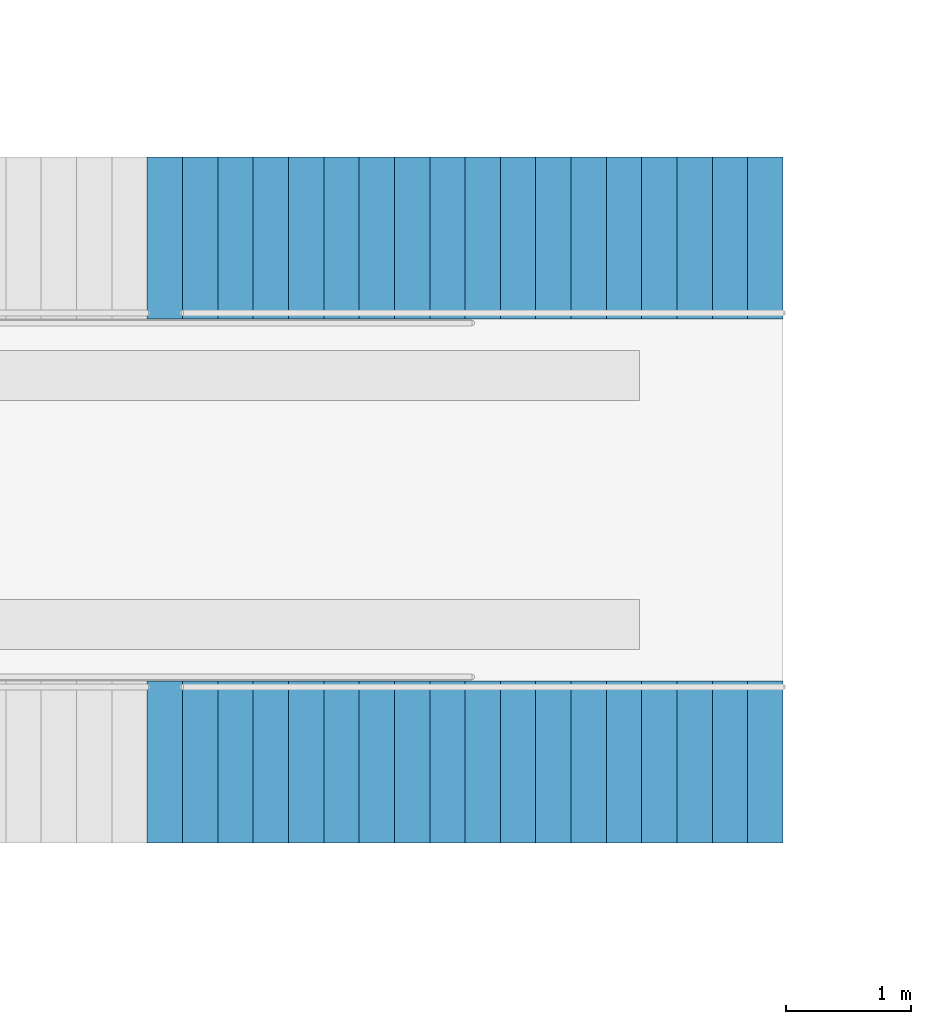
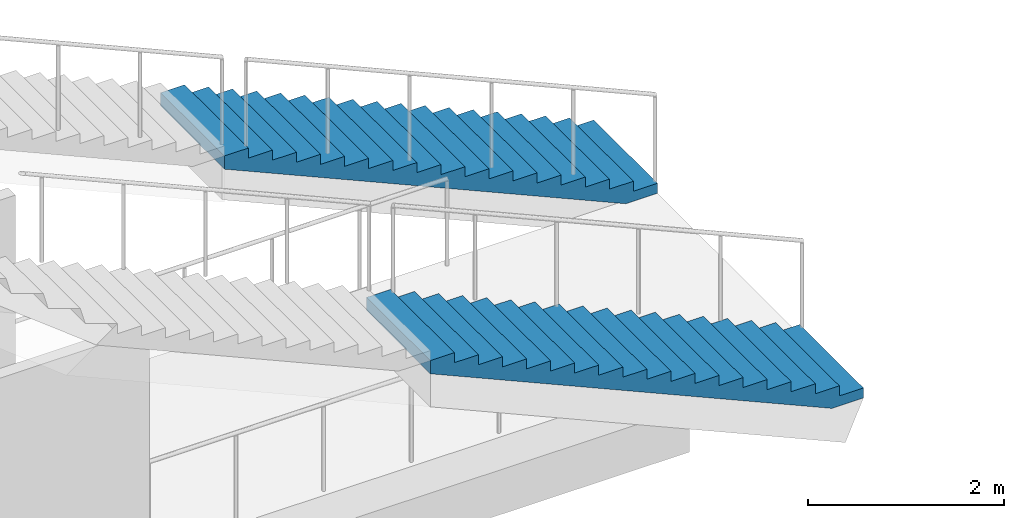
# One storey, part 60 of 175: 2 stair flights, 2 elements without a shape of their own.
"""IFC4 building model written with IfcOpenShell, lengths in metres."""

import ifcopenshell
import ifcopenshell.guid

model = None  # the IFC model being written
_history = None  # IfcOwnerHistory: only IFC2X3 demands one
_inside = {}  # id of a spatial element -> (the spatial element, [elements in it])
_under = {}  # id of a project, library or spatial element -> (it, [spatial elements below it])
_declared = {}  # id of a project -> (the project, [libraries it declares])
_typed = {}  # id of a type object -> (the type object, [elements of that type])
_made_of = {}  # id of a material, layer set ... -> (it, [elements and type objects made of it])


def new_model(schema):
    """Start an empty IFC model of exactly this schema.

    Asked for "IFC4X3", IfcOpenShell would pick the latest addendum, in which some entities
    have other attributes; the version numbers below select the first issue.
    IFC2X3 requires an IfcOwnerHistory on every rooted entity: one is made here for all.
    """
    global model, _history
    if schema == "IFC4X3":
        model = ifcopenshell.file(schema_version=(4, 3, 0, 0))
    else:
        model = ifcopenshell.file(schema=schema)
    _inside.clear()
    _under.clear()
    _declared.clear()
    _typed.clear()
    _made_of.clear()
    _history = None
    if model.schema == "IFC2X3":
        org = make("IfcOrganization", Name="unknown")
        user = make(
            "IfcPersonAndOrganization",
            ThePerson=make("IfcPerson", FamilyName="unknown"),
            TheOrganization=org,
        )
        app = make(
            "IfcApplication",
            ApplicationDeveloper=org,
            Version="unknown",
            ApplicationFullName="unknown",
            ApplicationIdentifier="unknown",
        )
        _history = make(
            "IfcOwnerHistory",
            OwningUser=user,
            OwningApplication=app,
            ChangeAction="ADDED",
            CreationDate=0,
        )
    return model


def make(cls, **values):
    """One entity of the class cls with the attributes given. An attribute that is None is left unset."""
    return model.create_entity(
        cls, **{name: value for name, value in values.items() if value is not None}
    )


def rooted(cls, **values):
    """An entity with a GlobalId (a new one), such as an element, a storey or a relation."""
    return make(cls, GlobalId=ifcopenshell.guid.new(), OwnerHistory=_history, **values)


def si_unit(unit_type, name, prefix=None):
    """IfcSIUnit, for example si_unit("LENGTHUNIT", "METRE", prefix="MILLI")."""
    return make("IfcSIUnit", UnitType=unit_type, Prefix=prefix, Name=name)


def assignment(units):
    """IfcUnitAssignment: the units of a project."""
    return None if units is None else make("IfcUnitAssignment", Units=units)


def point(xyz):
    """IfcCartesianPoint."""
    return None if xyz is None else make("IfcCartesianPoint", Coordinates=xyz)


def direction(xyz):
    """IfcDirection."""
    return None if xyz is None else make("IfcDirection", DirectionRatios=xyz)


def frame(location, z_axis=None, x_axis=None):
    """IfcAxis2Placement3D, a coordinate frame: its origin and axes. An axis left out is left unset."""
    return make(
        "IfcAxis2Placement3D",
        Location=point(location),
        Axis=direction(z_axis),
        RefDirection=direction(x_axis),
    )


def origin():
    """The frame at (0, 0, 0) with its axes left unset."""
    return frame((0.0, 0.0, 0.0))


def place(relative_to, where):
    """IfcLocalPlacement: puts the frame where relative to a parent placement (None: the world)."""
    return make(
        "IfcLocalPlacement", PlacementRelTo=relative_to, RelativePlacement=where
    )


def context(
    kind, dimensions, precision=None, world=None, true_north=None, identifier=None
):
    """IfcGeometricRepresentationContext, for example the 3D "Model" context."""
    return make(
        "IfcGeometricRepresentationContext",
        ContextIdentifier=identifier,
        ContextType=kind,
        CoordinateSpaceDimension=dimensions,
        Precision=precision,
        WorldCoordinateSystem=world,
        TrueNorth=true_north,
    )


def subcontext(parent, identifier, kind, view, scale=None):
    """IfcGeometricRepresentationSubContext, for example "Body" below "Model"."""
    return make(
        "IfcGeometricRepresentationSubContext",
        ContextIdentifier=identifier,
        ContextType=kind,
        ParentContext=parent,
        TargetScale=scale,
        TargetView=view,
    )


def project(units=None, contexts=None):
    """IfcProject with its units and contexts."""
    return rooted(
        "IfcProject",
        Name="project",
        RepresentationContexts=contexts,
        UnitsInContext=assignment(units),
    )


def spatial(cls, under=None, at=None, **own):
    """A site, building, storey or space (cls), placed at a placement, below another one or the project."""
    s = rooted(cls, ObjectPlacement=at, **own)
    if under is not None:
        _under.setdefault(under.id(), (under, []))[1].append(s)
    return s


def faces_of(points, faces, orient=None, outer=None):
    """IfcFace entities. A face is a list of loops; a loop is a list of indices into points, from 0.

    orient and outer hold one flag for each loop. By default every Orientation is true, the
    first loop of a face is its IfcFaceOuterBound and the others are IfcFaceBound.
    """
    made = []
    for i, loops in enumerate(faces):
        bounds = []
        for j, loop in enumerate(loops):
            is_outer = j == 0 if outer is None else outer[i][j]
            bounds.append(
                make(
                    "IfcFaceOuterBound" if is_outer else "IfcFaceBound",
                    Bound=make("IfcPolyLoop", Polygon=[points[k] for k in loop]),
                    Orientation=True if orient is None else orient[i][j],
                )
            )
        made.append(make("IfcFace", Bounds=bounds))
    return made


def faceted_brep(points, faces, orient=None, outer=None, voids=None):
    """IfcFacetedBrep: a solid bounded by flat faces; with voids (closed shells), ...WithVoids."""
    shared = [point(p) for p in points]
    hull = make("IfcClosedShell", CfsFaces=faces_of(shared, faces, orient, outer))
    if voids is None:
        return make("IfcFacetedBrep", Outer=hull)
    return make(
        "IfcFacetedBrepWithVoids",
        Outer=hull,
        Voids=[
            make(cls, CfsFaces=faces_of(shared, fs, o, b)) for cls, fs, o, b in voids
        ],
    )


def shape(context_of_items, identifier, shape_type, items):
    """IfcShapeRepresentation: the items that make up one representation, for example the "Body"."""
    return make(
        "IfcShapeRepresentation",
        ContextOfItems=context_of_items,
        RepresentationIdentifier=identifier,
        RepresentationType=shape_type,
        Items=items,
    )


def material(Name=None, Category=None):
    """IfcMaterial."""
    return make("IfcMaterial", Name=Name, Category=Category)


def made_of(thing, what):
    """Note that an element or type object is made of a material, layer set ...; save() writes the relation."""
    if what is not None:
        _made_of.setdefault(what.id(), (what, []))[1].append(thing)
    return thing


def type_object(cls, material=None, **own):
    """A type object (cls), such as IfcWallType, which elements share."""
    return made_of(rooted(cls, **own), material)


def element(
    cls,
    number,
    at=None,
    inside=None,
    cuts=None,
    type_object=None,
    material=None,
    context=None,
    identifier="Body",
    shape_type=None,
    held_by="IfcProductDefinitionShape",
    body=None,
    shapes=None,
    **own,
):
    """One element of the class cls, such as IfcWall. Its Tag is "e" and its number.

    at: its placement. inside: the storey or other place that contains it. cuts: it is an
    opening in that element (IfcRelVoidsElement). A single representation is given by context,
    identifier, shape_type and body (its items); several are given by shapes. held_by: the class
    of the entity that holds the representations. save() writes the other relations.
    """
    e = rooted(cls, Tag="e%d" % number, ObjectPlacement=at, **own)
    if body is not None:
        shapes = [shape(context, identifier, shape_type, body)]
    if shapes is not None:
        e.Representation = make(held_by, Representations=shapes)
    if inside is not None:
        _inside.setdefault(inside.id(), (inside, []))[1].append(e)
    if cuts is not None:
        rooted(
            "IfcRelVoidsElement", RelatingBuildingElement=cuts, RelatedOpeningElement=e
        )
    if type_object is not None:
        _typed.setdefault(type_object.id(), (type_object, []))[1].append(e)
    return made_of(e, material)


def aggregate(whole, parts):
    """IfcRelAggregates: a whole, such as a stair, and the parts it consists of."""
    return rooted("IfcRelAggregates", RelatingObject=whole, RelatedObjects=parts)


def save(model, path):
    """Write the relations noted so far, then the file.

    IfcRelAggregates (storeys below a building ...), IfcRelContainedInSpatialStructure (elements
    in a storey), IfcRelDefinesByType, IfcRelAssociatesMaterial and IfcRelDeclares: one each for
    every whole, place, type object, material and project.
    """
    for whole, parts in _under.values():
        aggregate(whole, parts)
    for where, things in _inside.values():
        rooted(
            "IfcRelContainedInSpatialStructure",
            RelatedElements=things,
            RelatingStructure=where,
        )
    for kind, things in _typed.values():
        rooted("IfcRelDefinesByType", RelatedObjects=things, RelatingType=kind)
    for what, things in _made_of.values():
        rooted("IfcRelAssociatesMaterial", RelatedObjects=things, RelatingMaterial=what)
    for by, libraries in _declared.values():
        rooted("IfcRelDeclares", RelatingContext=by, RelatedDefinitions=libraries)
    model.write(path)


model = new_model("IFC4")

# Units and contexts
model_context = context("Model", 3, precision=1e-05, world=origin(), true_north=direction((0.0, 1.0)))
body_context = subcontext(model_context, "Body", "Model", "MODEL_VIEW")
ifc_project = project(units=[si_unit("LENGTHUNIT", "METRE"), si_unit("AREAUNIT", "SQUARE_METRE"), si_unit("VOLUMEUNIT", "CUBIC_METRE"), si_unit("PLANEANGLEUNIT", "RADIAN"), si_unit("MASSUNIT", "GRAM", prefix="KILO")], contexts=[model_context])

# Site, building, storey
site_placement = place(None, origin())
site = spatial("IfcSite", under=ifc_project, at=site_placement, CompositionType="ELEMENT")
building_placement = place(site_placement, origin())
building = spatial("IfcBuilding", under=site, at=building_placement, Name="Ogive Plaza Stadium", CompositionType="ELEMENT")
storey_placement = place(building_placement, origin())
storey = spatial("IfcBuildingStorey", under=building, at=storey_placement, Name="L00", CompositionType="ELEMENT", Elevation=0.0)

# Stair, stair flight
ifc_material_1 = material(Name="Concrete C40/50", Category="concrete")
stair_type = type_object("IfcStairType", Name="Aisle stair", PredefinedType="STRAIGHT_RUN_STAIR", material=ifc_material_1)
stair_1_placement = place(storey_placement, origin())
stair_1 = element("IfcStair", 1, at=stair_1_placement, inside=storey, type_object=stair_type, Name="Aisle stair SA21L", PredefinedType="STRAIGHT_RUN_STAIR")
ifc_material_2 = material(Name="Concrete C40/50", Category="concrete")
stair_flight_type = type_object("IfcStairFlightType", Name="Aisle stair flight", PredefinedType="STRAIGHT", material=ifc_material_2)
stair_flight_1_placement = place(storey_placement, frame((-49.14990234375, -42.89990234375, 0.0), z_axis=(0.0, 0.0, 1.0), x_axis=(-1.0, 0.0, 0.0)))
stair_flight_1 = element("IfcStairFlight", 2, at=stair_flight_1_placement, type_object=stair_flight_type, Name="SA21L flight 1", NumberOfRisers=18, NumberOfTreads=17, PredefinedType="STRAIGHT", RiserHeight=0.125, TreadLength=0.283333333, context=body_context, shape_type="Brep", body=[
    faceted_brep([(0.371337890625, -0.64990234375, 0.0), (5.10009765625, -0.64990234375, 2.086181640625), (5.10009765625, -0.64990234375, 2.25), (4.816650390625, -0.64990234375, 2.25), (4.816650390625, -0.64990234375, 2.125), (4.533447265625, -0.64990234375, 2.125), (4.533447265625, -0.64990234375, 2.0), (4.25, -0.64990234375, 2.0), (4.25, -0.64990234375, 1.875), (3.966552734375, -0.64990234375, 1.875), (3.966552734375, -0.64990234375, 1.75), (3.683349609375, -0.64990234375, 1.75), (3.683349609375, -0.64990234375, 1.625), (3.39990234375, -0.64990234375, 1.625), (3.39990234375, -0.64990234375, 1.5), (3.11669921875, -0.64990234375, 1.5), (3.11669921875, -0.64990234375, 1.375), (2.833251953125, -0.64990234375, 1.375), (2.833251953125, -0.64990234375, 1.25), (2.550048828125, -0.64990234375, 1.25), (2.550048828125, -0.64990234375, 1.125), (2.2666015625, -0.64990234375, 1.125), (2.2666015625, -0.64990234375, 1.0), (1.9833984375, -0.64990234375, 1.0), (1.9833984375, -0.64990234375, 0.875), (1.699951171875, -0.64990234375, 0.875), (1.699951171875, -0.64990234375, 0.75), (1.416748046875, -0.64990234375, 0.75), (1.416748046875, -0.64990234375, 0.625), (1.13330078125, -0.64990234375, 0.625), (1.13330078125, -0.64990234375, 0.5), (0.85009765625, -0.64990234375, 0.5), (0.85009765625, -0.64990234375, 0.375), (0.566650390625, -0.64990234375, 0.375), (0.566650390625, -0.64990234375, 0.25), (0.283447265625, -0.64990234375, 0.25), (0.283447265625, -0.64990234375, 0.125), (0.0, -0.64990234375, 0.125), (0.0, -0.64990234375, 0.0), (0.0, 0.64990234375, 0.0), (0.0, 0.64990234375, 0.125), (0.283447265625, 0.64990234375, 0.125), (0.283447265625, 0.64990234375, 0.25), (0.566650390625, 0.64990234375, 0.25), (0.566650390625, 0.64990234375, 0.375), (0.85009765625, 0.64990234375, 0.375), (0.85009765625, 0.64990234375, 0.5), (1.13330078125, 0.64990234375, 0.5), (1.13330078125, 0.64990234375, 0.625), (1.416748046875, 0.64990234375, 0.625), (1.416748046875, 0.64990234375, 0.75), (1.699951171875, 0.64990234375, 0.75), (1.699951171875, 0.64990234375, 0.875), (1.9833984375, 0.64990234375, 0.875), (1.9833984375, 0.64990234375, 1.0), (2.2666015625, 0.64990234375, 1.0), (2.2666015625, 0.64990234375, 1.125), (2.550048828125, 0.64990234375, 1.125), (2.550048828125, 0.64990234375, 1.25), (2.833251953125, 0.64990234375, 1.25), (2.833251953125, 0.64990234375, 1.375), (3.11669921875, 0.64990234375, 1.375), (3.11669921875, 0.64990234375, 1.5), (3.39990234375, 0.64990234375, 1.5), (3.39990234375, 0.64990234375, 1.625), (3.683349609375, 0.64990234375, 1.625), (3.683349609375, 0.64990234375, 1.75), (3.966552734375, 0.64990234375, 1.75), (3.966552734375, 0.64990234375, 1.875), (4.25, 0.64990234375, 1.875), (4.25, 0.64990234375, 2.0), (4.533447265625, 0.64990234375, 2.0), (4.533447265625, 0.64990234375, 2.125), (4.816650390625, 0.64990234375, 2.125), (4.816650390625, 0.64990234375, 2.25), (5.10009765625, 0.64990234375, 2.25), (5.10009765625, 0.64990234375, 2.086181640625), (0.371337890625, 0.64990234375, 0.0), (0.371337890625, -0.324951171875, 0.0), (5.10009765625, -0.324951171875, 2.086181640625), (0.371337890625, 0.0, 0.0), (5.10009765625, 0.0, 2.086181640625), (0.371337890625, 0.324951171875, 0.0), (5.10009765625, 0.324951171875, 2.086181640625), (5.10009765625, -0.324951171875, 2.25), (5.10009765625, 0.0, 2.25), (5.10009765625, 0.324951171875, 2.25), (4.816650390625, -0.324951171875, 2.25), (4.816650390625, 0.0, 2.25), (4.816650390625, 0.324951171875, 2.25), (4.816650390625, -0.324951171875, 2.125), (4.816650390625, 0.0, 2.125), (4.816650390625, 0.324951171875, 2.125), (4.533447265625, -0.324951171875, 2.125), (4.533447265625, 0.0, 2.125), (4.533447265625, 0.324951171875, 2.125), (4.533447265625, -0.324951171875, 2.0), (4.533447265625, 0.0, 2.0), (4.533447265625, 0.324951171875, 2.0), (4.25, -0.324951171875, 2.0), (4.25, 0.0, 2.0), (4.25, 0.324951171875, 2.0), (4.25, -0.324951171875, 1.875), (4.25, 0.0, 1.875), (4.25, 0.324951171875, 1.875), (3.966552734375, -0.324951171875, 1.875), (3.966552734375, 0.0, 1.875), (3.966552734375, 0.324951171875, 1.875), (3.966552734375, -0.324951171875, 1.75), (3.966552734375, 0.0, 1.75), (3.966552734375, 0.324951171875, 1.75), (3.683349609375, -0.324951171875, 1.75), (3.683349609375, 0.0, 1.75), (3.683349609375, 0.324951171875, 1.75), (3.683349609375, -0.324951171875, 1.625), (3.683349609375, 0.0, 1.625), (3.683349609375, 0.324951171875, 1.625), (3.39990234375, -0.324951171875, 1.625), (3.39990234375, 0.0, 1.625), (3.39990234375, 0.324951171875, 1.625), (3.39990234375, -0.324951171875, 1.5), (3.39990234375, 0.0, 1.5), (3.39990234375, 0.324951171875, 1.5), (3.11669921875, -0.324951171875, 1.5), (3.11669921875, 0.0, 1.5), (3.11669921875, 0.324951171875, 1.5), (3.11669921875, -0.324951171875, 1.375), (3.11669921875, 0.0, 1.375), (3.11669921875, 0.324951171875, 1.375), (2.833251953125, -0.324951171875, 1.375), (2.833251953125, 0.0, 1.375), (2.833251953125, 0.324951171875, 1.375), (2.833251953125, -0.324951171875, 1.25), (2.833251953125, 0.0, 1.25), (2.833251953125, 0.324951171875, 1.25), (2.550048828125, -0.324951171875, 1.25), (2.550048828125, 0.0, 1.25), (2.550048828125, 0.324951171875, 1.25), (2.550048828125, -0.324951171875, 1.125), (2.550048828125, 0.0, 1.125), (2.550048828125, 0.324951171875, 1.125), (2.2666015625, -0.324951171875, 1.125), (2.2666015625, 0.0, 1.125), (2.2666015625, 0.324951171875, 1.125), (2.2666015625, -0.324951171875, 1.0), (2.2666015625, 0.0, 1.0), (2.2666015625, 0.324951171875, 1.0), (1.9833984375, -0.324951171875, 1.0), (1.9833984375, 0.0, 1.0), (1.9833984375, 0.324951171875, 1.0), (1.9833984375, -0.324951171875, 0.875), (1.9833984375, 0.0, 0.875), (1.9833984375, 0.324951171875, 0.875), (1.699951171875, -0.324951171875, 0.875), (1.699951171875, 0.0, 0.875), (1.699951171875, 0.324951171875, 0.875), (1.699951171875, -0.324951171875, 0.75), (1.699951171875, 0.0, 0.75), (1.699951171875, 0.324951171875, 0.75), (1.416748046875, -0.324951171875, 0.75), (1.416748046875, 0.0, 0.75), (1.416748046875, 0.324951171875, 0.75), (1.416748046875, -0.324951171875, 0.625), (1.416748046875, 0.0, 0.625), (1.416748046875, 0.324951171875, 0.625), (1.13330078125, -0.324951171875, 0.625), (1.13330078125, 0.0, 0.625), (1.13330078125, 0.324951171875, 0.625), (1.13330078125, -0.324951171875, 0.5), (1.13330078125, 0.0, 0.5), (1.13330078125, 0.324951171875, 0.5), (0.85009765625, -0.324951171875, 0.5), (0.85009765625, 0.0, 0.5), (0.85009765625, 0.324951171875, 0.5), (0.85009765625, -0.324951171875, 0.375), (0.85009765625, 0.0, 0.375), (0.85009765625, 0.324951171875, 0.375), (0.566650390625, -0.324951171875, 0.375), (0.566650390625, 0.0, 0.375), (0.566650390625, 0.324951171875, 0.375), (0.566650390625, -0.324951171875, 0.25), (0.566650390625, 0.0, 0.25), (0.566650390625, 0.324951171875, 0.25), (0.283447265625, -0.324951171875, 0.25), (0.283447265625, 0.0, 0.25), (0.283447265625, 0.324951171875, 0.25), (0.283447265625, -0.324951171875, 0.125), (0.283447265625, 0.0, 0.125), (0.283447265625, 0.324951171875, 0.125), (0.0, -0.324951171875, 0.125), (0.0, 0.0, 0.125), (0.0, 0.324951171875, 0.125), (0.0, -0.324951171875, 0.0), (0.0, 0.0, 0.0), (0.0, 0.324951171875, 0.0)], [[[0, 1, 2, 3, 4, 5, 6, 7, 8, 9, 10, 11, 12, 13, 14, 15, 16, 17, 18, 19, 20, 21, 22, 23, 24, 25, 26, 27, 28, 29, 30, 31, 32, 33, 34, 35, 36, 37, 38]], [[39, 40, 41, 42, 43, 44, 45, 46, 47, 48, 49, 50, 51, 52, 53, 54, 55, 56, 57, 58, 59, 60, 61, 62, 63, 64, 65, 66, 67, 68, 69, 70, 71, 72, 73, 74, 75, 76, 77]], [[0, 78, 79, 1]], [[78, 80, 81, 79]], [[80, 82, 83, 81]], [[82, 77, 76, 83]], [[1, 79, 84, 2]], [[79, 81, 85, 84]], [[81, 83, 86, 85]], [[83, 76, 75, 86]], [[2, 84, 87, 3]], [[84, 85, 88, 87]], [[85, 86, 89, 88]], [[86, 75, 74, 89]], [[3, 87, 90, 4]], [[87, 88, 91, 90]], [[88, 89, 92, 91]], [[89, 74, 73, 92]], [[4, 90, 93, 5]], [[90, 91, 94, 93]], [[91, 92, 95, 94]], [[92, 73, 72, 95]], [[5, 93, 96, 6]], [[93, 94, 97, 96]], [[94, 95, 98, 97]], [[95, 72, 71, 98]], [[6, 96, 99, 7]], [[96, 97, 100, 99]], [[97, 98, 101, 100]], [[98, 71, 70, 101]], [[7, 99, 102, 8]], [[99, 100, 103, 102]], [[100, 101, 104, 103]], [[101, 70, 69, 104]], [[8, 102, 105, 9]], [[102, 103, 106, 105]], [[103, 104, 107, 106]], [[104, 69, 68, 107]], [[9, 105, 108, 10]], [[105, 106, 109, 108]], [[106, 107, 110, 109]], [[107, 68, 67, 110]], [[10, 108, 111, 11]], [[108, 109, 112, 111]], [[109, 110, 113, 112]], [[110, 67, 66, 113]], [[11, 111, 114, 12]], [[111, 112, 115, 114]], [[112, 113, 116, 115]], [[113, 66, 65, 116]], [[12, 114, 117, 13]], [[114, 115, 118, 117]], [[115, 116, 119, 118]], [[116, 65, 64, 119]], [[13, 117, 120, 14]], [[117, 118, 121, 120]], [[118, 119, 122, 121]], [[119, 64, 63, 122]], [[14, 120, 123, 15]], [[120, 121, 124, 123]], [[121, 122, 125, 124]], [[122, 63, 62, 125]], [[15, 123, 126, 16]], [[123, 124, 127, 126]], [[124, 125, 128, 127]], [[125, 62, 61, 128]], [[16, 126, 129, 17]], [[126, 127, 130, 129]], [[127, 128, 131, 130]], [[128, 61, 60, 131]], [[17, 129, 132, 18]], [[129, 130, 133, 132]], [[130, 131, 134, 133]], [[131, 60, 59, 134]], [[18, 132, 135, 19]], [[132, 133, 136, 135]], [[133, 134, 137, 136]], [[134, 59, 58, 137]], [[19, 135, 138, 20]], [[135, 136, 139, 138]], [[136, 137, 140, 139]], [[137, 58, 57, 140]], [[20, 138, 141, 21]], [[138, 139, 142, 141]], [[139, 140, 143, 142]], [[140, 57, 56, 143]], [[21, 141, 144, 22]], [[141, 142, 145, 144]], [[142, 143, 146, 145]], [[143, 56, 55, 146]], [[22, 144, 147, 23]], [[144, 145, 148, 147]], [[145, 146, 149, 148]], [[146, 55, 54, 149]], [[23, 147, 150, 24]], [[147, 148, 151, 150]], [[148, 149, 152, 151]], [[149, 54, 53, 152]], [[24, 150, 153, 25]], [[150, 151, 154, 153]], [[151, 152, 155, 154]], [[152, 53, 52, 155]], [[25, 153, 156, 26]], [[153, 154, 157, 156]], [[154, 155, 158, 157]], [[155, 52, 51, 158]], [[26, 156, 159, 27]], [[156, 157, 160, 159]], [[157, 158, 161, 160]], [[158, 51, 50, 161]], [[27, 159, 162, 28]], [[159, 160, 163, 162]], [[160, 161, 164, 163]], [[161, 50, 49, 164]], [[28, 162, 165, 29]], [[162, 163, 166, 165]], [[163, 164, 167, 166]], [[164, 49, 48, 167]], [[29, 165, 168, 30]], [[165, 166, 169, 168]], [[166, 167, 170, 169]], [[167, 48, 47, 170]], [[30, 168, 171, 31]], [[168, 169, 172, 171]], [[169, 170, 173, 172]], [[170, 47, 46, 173]], [[31, 171, 174, 32]], [[171, 172, 175, 174]], [[172, 173, 176, 175]], [[173, 46, 45, 176]], [[32, 174, 177, 33]], [[174, 175, 178, 177]], [[175, 176, 179, 178]], [[176, 45, 44, 179]], [[33, 177, 180, 34]], [[177, 178, 181, 180]], [[178, 179, 182, 181]], [[179, 44, 43, 182]], [[34, 180, 183, 35]], [[180, 181, 184, 183]], [[181, 182, 185, 184]], [[182, 43, 42, 185]], [[35, 183, 186, 36]], [[183, 184, 187, 186]], [[184, 185, 188, 187]], [[185, 42, 41, 188]], [[36, 186, 189, 37]], [[186, 187, 190, 189]], [[187, 188, 191, 190]], [[188, 41, 40, 191]], [[37, 189, 192, 38]], [[189, 190, 193, 192]], [[190, 191, 194, 193]], [[191, 40, 39, 194]], [[38, 192, 78, 0]], [[192, 193, 80, 78]], [[193, 194, 82, 80]], [[194, 39, 77, 82]]]),
])
aggregate(stair_1, [stair_flight_1])

stair_2_placement = place(storey_placement, origin())
stair_2 = element("IfcStair", 3, at=stair_2_placement, inside=storey, type_object=stair_type, Name="Aisle stair SA21R", PredefinedType="STRAIGHT_RUN_STAIR")
stair_flight_2_placement = place(storey_placement, frame((-49.14990234375, -47.10009765625, 0.0), z_axis=(0.0, 0.0, 1.0), x_axis=(-1.0, 0.0, 0.0)))
stair_flight_2 = element("IfcStairFlight", 4, at=stair_flight_2_placement, type_object=stair_flight_type, Name="SA21R flight 1", NumberOfRisers=18, NumberOfTreads=17, PredefinedType="STRAIGHT", RiserHeight=0.125, TreadLength=0.283333333, context=body_context, shape_type="Brep", body=[
    faceted_brep([(0.371337890625, -0.64990234375, 0.0), (5.10009765625, -0.64990234375, 2.086181640625), (5.10009765625, -0.64990234375, 2.25), (4.816650390625, -0.64990234375, 2.25), (4.816650390625, -0.64990234375, 2.125), (4.533447265625, -0.64990234375, 2.125), (4.533447265625, -0.64990234375, 2.0), (4.25, -0.64990234375, 2.0), (4.25, -0.64990234375, 1.875), (3.966552734375, -0.64990234375, 1.875), (3.966552734375, -0.64990234375, 1.75), (3.683349609375, -0.64990234375, 1.75), (3.683349609375, -0.64990234375, 1.625), (3.39990234375, -0.64990234375, 1.625), (3.39990234375, -0.64990234375, 1.5), (3.11669921875, -0.64990234375, 1.5), (3.11669921875, -0.64990234375, 1.375), (2.833251953125, -0.64990234375, 1.375), (2.833251953125, -0.64990234375, 1.25), (2.550048828125, -0.64990234375, 1.25), (2.550048828125, -0.64990234375, 1.125), (2.2666015625, -0.64990234375, 1.125), (2.2666015625, -0.64990234375, 1.0), (1.9833984375, -0.64990234375, 1.0), (1.9833984375, -0.64990234375, 0.875), (1.699951171875, -0.64990234375, 0.875), (1.699951171875, -0.64990234375, 0.75), (1.416748046875, -0.64990234375, 0.75), (1.416748046875, -0.64990234375, 0.625), (1.13330078125, -0.64990234375, 0.625), (1.13330078125, -0.64990234375, 0.5), (0.85009765625, -0.64990234375, 0.5), (0.85009765625, -0.64990234375, 0.375), (0.566650390625, -0.64990234375, 0.375), (0.566650390625, -0.64990234375, 0.25), (0.283447265625, -0.64990234375, 0.25), (0.283447265625, -0.64990234375, 0.125), (0.0, -0.64990234375, 0.125), (0.0, -0.64990234375, 0.0), (0.0, 0.64990234375, 0.0), (0.0, 0.64990234375, 0.125), (0.283447265625, 0.64990234375, 0.125), (0.283447265625, 0.64990234375, 0.25), (0.566650390625, 0.64990234375, 0.25), (0.566650390625, 0.64990234375, 0.375), (0.85009765625, 0.64990234375, 0.375), (0.85009765625, 0.64990234375, 0.5), (1.13330078125, 0.64990234375, 0.5), (1.13330078125, 0.64990234375, 0.625), (1.416748046875, 0.64990234375, 0.625), (1.416748046875, 0.64990234375, 0.75), (1.699951171875, 0.64990234375, 0.75), (1.699951171875, 0.64990234375, 0.875), (1.9833984375, 0.64990234375, 0.875), (1.9833984375, 0.64990234375, 1.0), (2.2666015625, 0.64990234375, 1.0), (2.2666015625, 0.64990234375, 1.125), (2.550048828125, 0.64990234375, 1.125), (2.550048828125, 0.64990234375, 1.25), (2.833251953125, 0.64990234375, 1.25), (2.833251953125, 0.64990234375, 1.375), (3.11669921875, 0.64990234375, 1.375), (3.11669921875, 0.64990234375, 1.5), (3.39990234375, 0.64990234375, 1.5), (3.39990234375, 0.64990234375, 1.625), (3.683349609375, 0.64990234375, 1.625), (3.683349609375, 0.64990234375, 1.75), (3.966552734375, 0.64990234375, 1.75), (3.966552734375, 0.64990234375, 1.875), (4.25, 0.64990234375, 1.875), (4.25, 0.64990234375, 2.0), (4.533447265625, 0.64990234375, 2.0), (4.533447265625, 0.64990234375, 2.125), (4.816650390625, 0.64990234375, 2.125), (4.816650390625, 0.64990234375, 2.25), (5.10009765625, 0.64990234375, 2.25), (5.10009765625, 0.64990234375, 2.086181640625), (0.371337890625, 0.64990234375, 0.0), (0.371337890625, -0.324951171875, 0.0), (5.10009765625, -0.324951171875, 2.086181640625), (0.371337890625, 0.0, 0.0), (5.10009765625, 0.0, 2.086181640625), (0.371337890625, 0.324951171875, 0.0), (5.10009765625, 0.324951171875, 2.086181640625), (5.10009765625, -0.324951171875, 2.25), (5.10009765625, 0.0, 2.25), (5.10009765625, 0.324951171875, 2.25), (4.816650390625, -0.324951171875, 2.25), (4.816650390625, 0.0, 2.25), (4.816650390625, 0.324951171875, 2.25), (4.816650390625, -0.324951171875, 2.125), (4.816650390625, 0.0, 2.125), (4.816650390625, 0.324951171875, 2.125), (4.533447265625, -0.324951171875, 2.125), (4.533447265625, 0.0, 2.125), (4.533447265625, 0.324951171875, 2.125), (4.533447265625, -0.324951171875, 2.0), (4.533447265625, 0.0, 2.0), (4.533447265625, 0.324951171875, 2.0), (4.25, -0.324951171875, 2.0), (4.25, 0.0, 2.0), (4.25, 0.324951171875, 2.0), (4.25, -0.324951171875, 1.875), (4.25, 0.0, 1.875), (4.25, 0.324951171875, 1.875), (3.966552734375, -0.324951171875, 1.875), (3.966552734375, 0.0, 1.875), (3.966552734375, 0.324951171875, 1.875), (3.966552734375, -0.324951171875, 1.75), (3.966552734375, 0.0, 1.75), (3.966552734375, 0.324951171875, 1.75), (3.683349609375, -0.324951171875, 1.75), (3.683349609375, 0.0, 1.75), (3.683349609375, 0.324951171875, 1.75), (3.683349609375, -0.324951171875, 1.625), (3.683349609375, 0.0, 1.625), (3.683349609375, 0.324951171875, 1.625), (3.39990234375, -0.324951171875, 1.625), (3.39990234375, 0.0, 1.625), (3.39990234375, 0.324951171875, 1.625), (3.39990234375, -0.324951171875, 1.5), (3.39990234375, 0.0, 1.5), (3.39990234375, 0.324951171875, 1.5), (3.11669921875, -0.324951171875, 1.5), (3.11669921875, 0.0, 1.5), (3.11669921875, 0.324951171875, 1.5), (3.11669921875, -0.324951171875, 1.375), (3.11669921875, 0.0, 1.375), (3.11669921875, 0.324951171875, 1.375), (2.833251953125, -0.324951171875, 1.375), (2.833251953125, 0.0, 1.375), (2.833251953125, 0.324951171875, 1.375), (2.833251953125, -0.324951171875, 1.25), (2.833251953125, 0.0, 1.25), (2.833251953125, 0.324951171875, 1.25), (2.550048828125, -0.324951171875, 1.25), (2.550048828125, 0.0, 1.25), (2.550048828125, 0.324951171875, 1.25), (2.550048828125, -0.324951171875, 1.125), (2.550048828125, 0.0, 1.125), (2.550048828125, 0.324951171875, 1.125), (2.2666015625, -0.324951171875, 1.125), (2.2666015625, 0.0, 1.125), (2.2666015625, 0.324951171875, 1.125), (2.2666015625, -0.324951171875, 1.0), (2.2666015625, 0.0, 1.0), (2.2666015625, 0.324951171875, 1.0), (1.9833984375, -0.324951171875, 1.0), (1.9833984375, 0.0, 1.0), (1.9833984375, 0.324951171875, 1.0), (1.9833984375, -0.324951171875, 0.875), (1.9833984375, 0.0, 0.875), (1.9833984375, 0.324951171875, 0.875), (1.699951171875, -0.324951171875, 0.875), (1.699951171875, 0.0, 0.875), (1.699951171875, 0.324951171875, 0.875), (1.699951171875, -0.324951171875, 0.75), (1.699951171875, 0.0, 0.75), (1.699951171875, 0.324951171875, 0.75), (1.416748046875, -0.324951171875, 0.75), (1.416748046875, 0.0, 0.75), (1.416748046875, 0.324951171875, 0.75), (1.416748046875, -0.324951171875, 0.625), (1.416748046875, 0.0, 0.625), (1.416748046875, 0.324951171875, 0.625), (1.13330078125, -0.324951171875, 0.625), (1.13330078125, 0.0, 0.625), (1.13330078125, 0.324951171875, 0.625), (1.13330078125, -0.324951171875, 0.5), (1.13330078125, 0.0, 0.5), (1.13330078125, 0.324951171875, 0.5), (0.85009765625, -0.324951171875, 0.5), (0.85009765625, 0.0, 0.5), (0.85009765625, 0.324951171875, 0.5), (0.85009765625, -0.324951171875, 0.375), (0.85009765625, 0.0, 0.375), (0.85009765625, 0.324951171875, 0.375), (0.566650390625, -0.324951171875, 0.375), (0.566650390625, 0.0, 0.375), (0.566650390625, 0.324951171875, 0.375), (0.566650390625, -0.324951171875, 0.25), (0.566650390625, 0.0, 0.25), (0.566650390625, 0.324951171875, 0.25), (0.283447265625, -0.324951171875, 0.25), (0.283447265625, 0.0, 0.25), (0.283447265625, 0.324951171875, 0.25), (0.283447265625, -0.324951171875, 0.125), (0.283447265625, 0.0, 0.125), (0.283447265625, 0.324951171875, 0.125), (0.0, -0.324951171875, 0.125), (0.0, 0.0, 0.125), (0.0, 0.324951171875, 0.125), (0.0, -0.324951171875, 0.0), (0.0, 0.0, 0.0), (0.0, 0.324951171875, 0.0)], [[[0, 1, 2, 3, 4, 5, 6, 7, 8, 9, 10, 11, 12, 13, 14, 15, 16, 17, 18, 19, 20, 21, 22, 23, 24, 25, 26, 27, 28, 29, 30, 31, 32, 33, 34, 35, 36, 37, 38]], [[39, 40, 41, 42, 43, 44, 45, 46, 47, 48, 49, 50, 51, 52, 53, 54, 55, 56, 57, 58, 59, 60, 61, 62, 63, 64, 65, 66, 67, 68, 69, 70, 71, 72, 73, 74, 75, 76, 77]], [[0, 78, 79, 1]], [[78, 80, 81, 79]], [[80, 82, 83, 81]], [[82, 77, 76, 83]], [[1, 79, 84, 2]], [[79, 81, 85, 84]], [[81, 83, 86, 85]], [[83, 76, 75, 86]], [[2, 84, 87, 3]], [[84, 85, 88, 87]], [[85, 86, 89, 88]], [[86, 75, 74, 89]], [[3, 87, 90, 4]], [[87, 88, 91, 90]], [[88, 89, 92, 91]], [[89, 74, 73, 92]], [[4, 90, 93, 5]], [[90, 91, 94, 93]], [[91, 92, 95, 94]], [[92, 73, 72, 95]], [[5, 93, 96, 6]], [[93, 94, 97, 96]], [[94, 95, 98, 97]], [[95, 72, 71, 98]], [[6, 96, 99, 7]], [[96, 97, 100, 99]], [[97, 98, 101, 100]], [[98, 71, 70, 101]], [[7, 99, 102, 8]], [[99, 100, 103, 102]], [[100, 101, 104, 103]], [[101, 70, 69, 104]], [[8, 102, 105, 9]], [[102, 103, 106, 105]], [[103, 104, 107, 106]], [[104, 69, 68, 107]], [[9, 105, 108, 10]], [[105, 106, 109, 108]], [[106, 107, 110, 109]], [[107, 68, 67, 110]], [[10, 108, 111, 11]], [[108, 109, 112, 111]], [[109, 110, 113, 112]], [[110, 67, 66, 113]], [[11, 111, 114, 12]], [[111, 112, 115, 114]], [[112, 113, 116, 115]], [[113, 66, 65, 116]], [[12, 114, 117, 13]], [[114, 115, 118, 117]], [[115, 116, 119, 118]], [[116, 65, 64, 119]], [[13, 117, 120, 14]], [[117, 118, 121, 120]], [[118, 119, 122, 121]], [[119, 64, 63, 122]], [[14, 120, 123, 15]], [[120, 121, 124, 123]], [[121, 122, 125, 124]], [[122, 63, 62, 125]], [[15, 123, 126, 16]], [[123, 124, 127, 126]], [[124, 125, 128, 127]], [[125, 62, 61, 128]], [[16, 126, 129, 17]], [[126, 127, 130, 129]], [[127, 128, 131, 130]], [[128, 61, 60, 131]], [[17, 129, 132, 18]], [[129, 130, 133, 132]], [[130, 131, 134, 133]], [[131, 60, 59, 134]], [[18, 132, 135, 19]], [[132, 133, 136, 135]], [[133, 134, 137, 136]], [[134, 59, 58, 137]], [[19, 135, 138, 20]], [[135, 136, 139, 138]], [[136, 137, 140, 139]], [[137, 58, 57, 140]], [[20, 138, 141, 21]], [[138, 139, 142, 141]], [[139, 140, 143, 142]], [[140, 57, 56, 143]], [[21, 141, 144, 22]], [[141, 142, 145, 144]], [[142, 143, 146, 145]], [[143, 56, 55, 146]], [[22, 144, 147, 23]], [[144, 145, 148, 147]], [[145, 146, 149, 148]], [[146, 55, 54, 149]], [[23, 147, 150, 24]], [[147, 148, 151, 150]], [[148, 149, 152, 151]], [[149, 54, 53, 152]], [[24, 150, 153, 25]], [[150, 151, 154, 153]], [[151, 152, 155, 154]], [[152, 53, 52, 155]], [[25, 153, 156, 26]], [[153, 154, 157, 156]], [[154, 155, 158, 157]], [[155, 52, 51, 158]], [[26, 156, 159, 27]], [[156, 157, 160, 159]], [[157, 158, 161, 160]], [[158, 51, 50, 161]], [[27, 159, 162, 28]], [[159, 160, 163, 162]], [[160, 161, 164, 163]], [[161, 50, 49, 164]], [[28, 162, 165, 29]], [[162, 163, 166, 165]], [[163, 164, 167, 166]], [[164, 49, 48, 167]], [[29, 165, 168, 30]], [[165, 166, 169, 168]], [[166, 167, 170, 169]], [[167, 48, 47, 170]], [[30, 168, 171, 31]], [[168, 169, 172, 171]], [[169, 170, 173, 172]], [[170, 47, 46, 173]], [[31, 171, 174, 32]], [[171, 172, 175, 174]], [[172, 173, 176, 175]], [[173, 46, 45, 176]], [[32, 174, 177, 33]], [[174, 175, 178, 177]], [[175, 176, 179, 178]], [[176, 45, 44, 179]], [[33, 177, 180, 34]], [[177, 178, 181, 180]], [[178, 179, 182, 181]], [[179, 44, 43, 182]], [[34, 180, 183, 35]], [[180, 181, 184, 183]], [[181, 182, 185, 184]], [[182, 43, 42, 185]], [[35, 183, 186, 36]], [[183, 184, 187, 186]], [[184, 185, 188, 187]], [[185, 42, 41, 188]], [[36, 186, 189, 37]], [[186, 187, 190, 189]], [[187, 188, 191, 190]], [[188, 41, 40, 191]], [[37, 189, 192, 38]], [[189, 190, 193, 192]], [[190, 191, 194, 193]], [[191, 40, 39, 194]], [[38, 192, 78, 0]], [[192, 193, 80, 78]], [[193, 194, 82, 80]], [[194, 39, 77, 82]]]),
])
aggregate(stair_2, [stair_flight_2])

save(model, "model.ifc")
